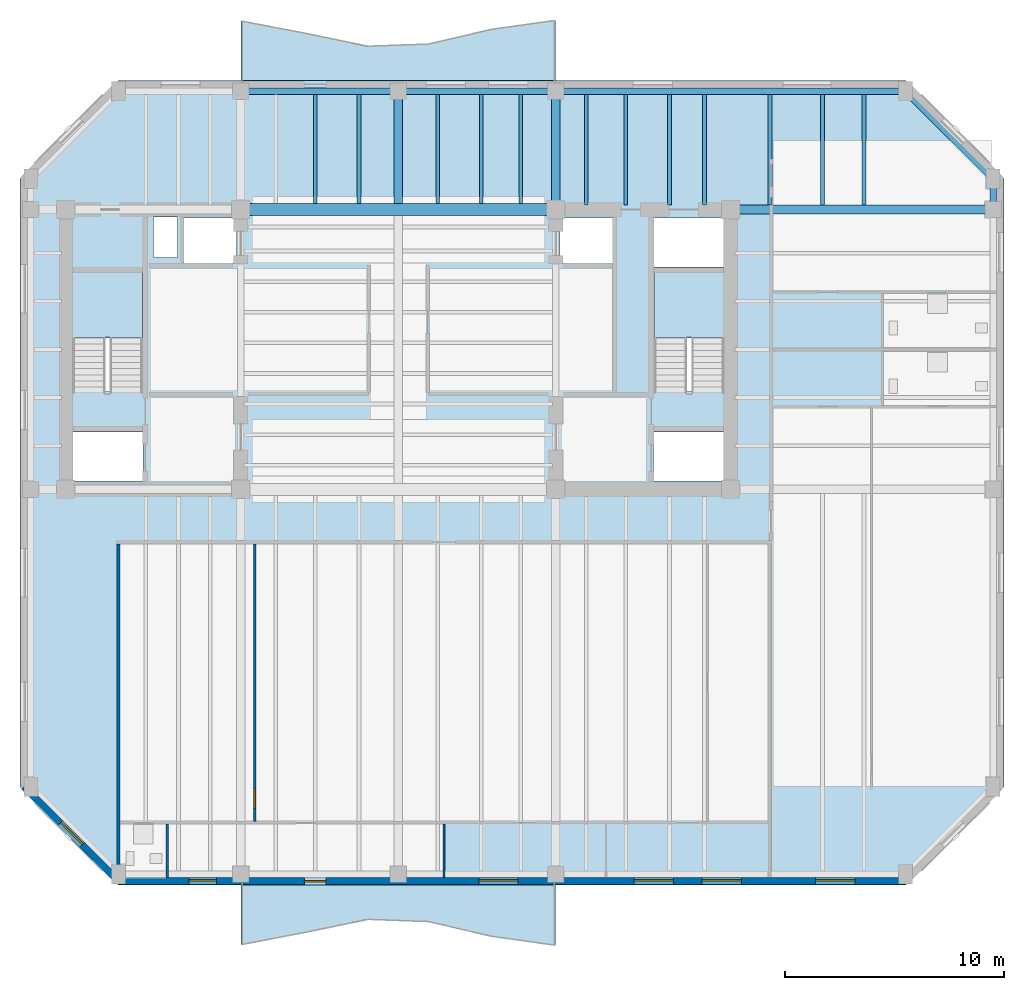
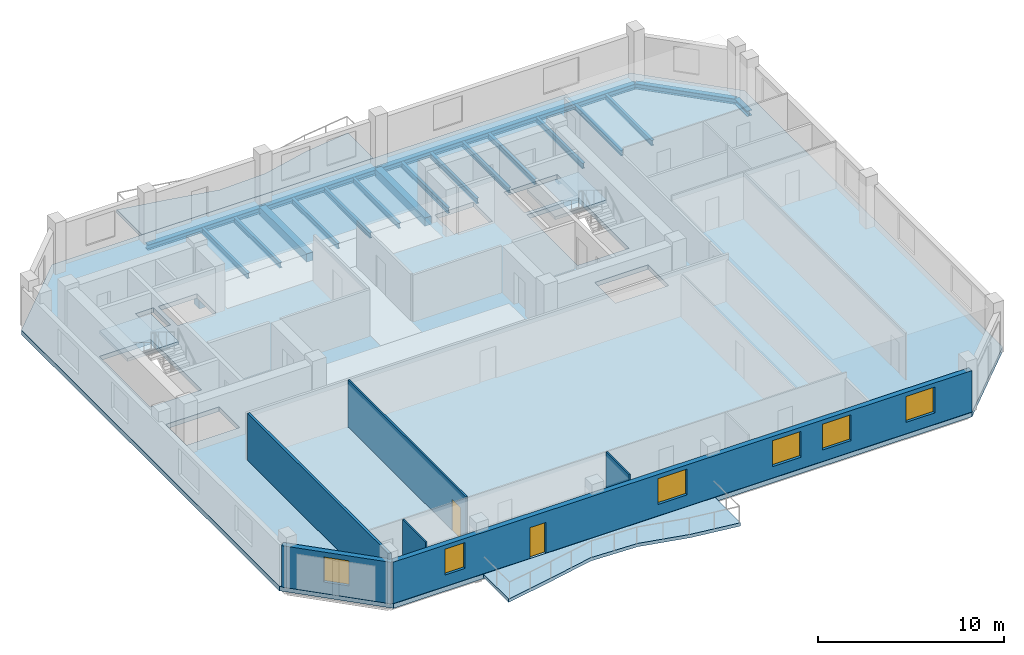
# One storey, part 2 of 9: 21 beams, 6 walls, 6 windows, 5 slabs, 2 doors, 8 openings, 2 elements without a shape of their own.
"""IFC4 building model written with IfcOpenShell, lengths in metres."""

from ifc_helpers import new_model, si_unit, direction, frame, frame_2d, origin, origin_2d, place, context, subcontext, project, spatial, polyline, rectangle, i_section, outline, extrude, material, layer, layer_set, material_profile, profile_set, type_object, element, fill, aggregate, save


model = new_model("IFC4")

# Units and contexts
model_context = context("Model", 3, precision=1e-05, world=origin(), true_north=direction((0.0, 1.0)))
body_context = subcontext(model_context, "Body", "Model", "MODEL_VIEW")
ifc_project = project(units=[si_unit("LENGTHUNIT", "METRE"), si_unit("AREAUNIT", "SQUARE_METRE"), si_unit("VOLUMEUNIT", "CUBIC_METRE"), si_unit("PLANEANGLEUNIT", "RADIAN"), si_unit("MASSUNIT", "GRAM", prefix="KILO")], contexts=[model_context])

# Site, building, storey
site_placement = place(None, origin())
site = spatial("IfcSite", under=ifc_project, at=site_placement, CompositionType="ELEMENT")
building_placement = place(site_placement, origin())
building = spatial("IfcBuilding", under=site, at=building_placement, Name="Kranthara Brick Stack", CompositionType="ELEMENT")
storey_placement = place(building_placement, frame((0.0, 0.0, 241.5)))
storey = spatial("IfcBuildingStorey", under=building, at=storey_placement, Name="L63", CompositionType="ELEMENT", Elevation=241.5)

# Beams
ifc_material_1 = material(Name="Concrete C50/60", Category="concrete")
ifc_material_profile_1 = material_profile(ifc_material_1, rectangle(XDim=0.550048828125, YDim=0.85009765625, at=origin_2d()), Name="RC 550x850")
ifc_profile_set_1 = profile_set([ifc_material_profile_1], Name="Concrete C50/60")
beam_type_1 = type_object("IfcBeamType", Name="BM-CPL-RC850", PredefinedType="LINTEL", material=ifc_profile_set_1)
beam_1_placement = place(storey_placement, frame((20.800048828125, 33.60009765625, -0.72509765625), z_axis=(1.0, 0.0, 0.0), x_axis=(0.0, 1.0, 0.0)))
element("IfcBeam", 1, at=beam_1_placement, inside=storey, type_object=beam_type_1, Name="L63 Core Coupling Beam 002", PredefinedType="LINTEL", context=body_context, shape_type="SweptSolid", body=[
    extrude(rectangle(XDim=0.550048828125, YDim=0.85009765625, at=origin_2d()), origin(), (0.0, 0.0, 1.0), 14.39990234375),
])
ifc_material_2 = material(Name="Post-tensioned concrete C45/55", Category="concrete")
ifc_material_profile_2 = material_profile(ifc_material_2, rectangle(XDim=0.39990234375, YDim=0.550048828125, at=origin_2d()), Name="PT 400x550")
ifc_profile_set_2 = profile_set([ifc_material_profile_2], Name="Post-tensioned concrete C45/55")
beam_type_2 = type_object("IfcBeamType", Name="BM-FLR-PT550", PredefinedType="BEAM", material=ifc_profile_set_2)
beam_2_placement = place(storey_placement, frame((28.0, 33.875, -0.574951171875), z_axis=(0.0, 1.0, 0.0), x_axis=(-1.0, 0.0, 0.0)))
element("IfcBeam", 2, at=beam_2_placement, inside=storey, type_object=beam_type_2, Name="L63 Primary Grid Girder 027", PredefinedType="BEAM", context=body_context, shape_type="SweptSolid", body=[
    extrude(rectangle(XDim=0.39990234375, YDim=0.550048828125, at=origin_2d()), origin(), (0.0, 0.0, 1.0), 5.125),
])
beam_3_placement = place(storey_placement, frame((35.199951171875, 33.60009765625, -0.574951171875), z_axis=(0.0, 1.0, 0.0), x_axis=(-1.0, 0.0, 0.0)))
element("IfcBeam", 3, at=beam_3_placement, inside=storey, type_object=beam_type_2, Name="L63 Primary Grid Girder 029", PredefinedType="BEAM", context=body_context, shape_type="SweptSolid", body=[
    extrude(rectangle(XDim=0.39990234375, YDim=0.550048828125, at=origin_2d()), origin(), (0.0, 0.0, 1.0), 5.39990234375),
])
beam_4_placement = place(storey_placement, frame((43.199951171875, 33.60009765625, -0.574951171875), z_axis=(1.0, 0.0, 0.0), x_axis=(0.0, 1.0, 0.0)))
element("IfcBeam", 4, at=beam_4_placement, inside=storey, type_object=beam_type_2, Name="L63 Primary Grid Girder 033", PredefinedType="BEAM", context=body_context, shape_type="SweptSolid", body=[
    extrude(rectangle(XDim=0.39990234375, YDim=0.550048828125, at=origin_2d()), origin(), (0.0, 0.0, 1.0), 12.0),
])
ifc_material_3 = material(Name="Steel S355", Category="steel")
ifc_material_profile_3 = material_profile(ifc_material_3, i_section(OverallWidth=0.169921875, OverallDepth=0.360107421875, WebThickness=0.008056640625, FlangeThickness=0.0126953125, at=origin_2d()), Name="IPE 360")
ifc_profile_set_3 = profile_set([ifc_material_profile_3], Name="Steel S355")
beam_type_3 = type_object("IfcBeamType", Name="BM-JST-IPE360", PredefinedType="JOIST", material=ifc_profile_set_3)
for number, where, z_axis, x_axis, name in (
    (5, (24.199951171875, 33.875, -0.47998046875), (0.0, 1.0, 0.0), (-1.0, 0.0, 0.0), "L63 North Wing Floor Joist 061"),
    (6, (26.199951171875, 33.875, -0.47998046875), (0.0, 1.0, 0.0), (-1.0, 0.0, 0.0), "L63 North Wing Floor Joist 063"),
    (7, (29.800048828125, 33.875, -0.47998046875), (0.0, 1.0, 0.0), (-1.0, 0.0, 0.0), "L63 North Wing Floor Joist 065"),
    (8, (31.800048828125, 33.875, -0.47998046875), (0.0, 1.0, 0.0), (-1.0, 0.0, 0.0), "L63 North Wing Floor Joist 067"),
    (9, (33.60009765625, 33.875, -0.47998046875), (0.0, 1.0, 0.0), (-1.0, 0.0, 0.0), "L63 North Wing Floor Joist 069"),
):
    element("IfcBeam", number, at=place(storey_placement, frame(where, z_axis=z_axis, x_axis=x_axis)), inside=storey, type_object=beam_type_3, Name=name, PredefinedType="JOIST", context=body_context, shape_type="SweptSolid", body=[
        extrude(i_section(OverallWidth=0.169921875, OverallDepth=0.360107421875, WebThickness=0.008056640625, FlangeThickness=0.0126953125, at=origin_2d()), origin(), (0.0, 0.0, 1.0), 4.97509765625),
    ])
for number, where, z_axis, x_axis, name in (
    (10, (36.60009765625, 33.800048828125, -0.47998046875), (0.0, 1.0, 0.0), (-1.0, 0.0, 0.0), "L63 North Wing Floor Joist 071"),
    (11, (38.39990234375, 33.800048828125, -0.47998046875), (0.0, 1.0, 0.0), (-1.0, 0.0, 0.0), "L63 North Wing Floor Joist 073"),
    (12, (40.39990234375, 33.800048828125, -0.47998046875), (0.0, 1.0, 0.0), (-1.0, 0.0, 0.0), "L63 North Wing Floor Joist 075"),
    (13, (42.0, 33.800048828125, -0.47998046875), (0.0, 1.0, 0.0), (-1.0, 0.0, 0.0), "L63 North Wing Floor Joist 077"),
    (14, (45.0, 33.800048828125, -0.47998046875), (0.0, 1.0, 0.0), (-1.0, 0.0, 0.0), "L63 North Wing Floor Joist 079"),
    (15, (47.39990234375, 33.800048828125, -0.47998046875), (0.0, 1.0, 0.0), (-1.0, 0.0, 0.0), "L63 North Wing Floor Joist 081"),
    (16, (49.300048828125, 33.800048828125, -0.47998046875), (0.0, 1.0, 0.0), (-1.0, 0.0, 0.0), "L63 North Wing Floor Joist 083"),
):
    element("IfcBeam", number, at=place(storey_placement, frame(where, z_axis=z_axis, x_axis=x_axis)), inside=storey, type_object=beam_type_3, Name=name, PredefinedType="JOIST", context=body_context, shape_type="SweptSolid", body=[
        extrude(i_section(OverallWidth=0.169921875, OverallDepth=0.360107421875, WebThickness=0.008056640625, FlangeThickness=0.0126953125, at=origin_2d()), origin(), (0.0, 0.0, 1.0), 5.050048828125),
    ])
ifc_material_4 = material(Name="Steel S355", Category="steel")
ifc_material_profile_4 = material_profile(ifc_material_4, i_section(OverallWidth=0.300048828125, OverallDepth=0.360107421875, WebThickness=0.012451171875, FlangeThickness=0.0224609375, at=origin_2d()), Name="HEB 360")
ifc_profile_set_4 = profile_set([ifc_material_profile_4], Name="Steel S355")
beam_type_4 = type_object("IfcBeamType", Name="BM-STL-HEB360", PredefinedType="SPANDREL", material=ifc_profile_set_4)
for number, where, z_axis, x_axis, name in (
    (17, (20.800048828125, 39.0, -0.47998046875), (1.0, 0.0, 0.0), (0.0, 1.0, 0.0), "L63 Perimeter Spandrel Beam 010"),
    (18, (28.0, 39.0, -0.47998046875), (1.0, 0.0, 0.0), (0.0, 1.0, 0.0), "L63 Perimeter Spandrel Beam 011"),
):
    element("IfcBeam", number, at=place(storey_placement, frame(where, z_axis=z_axis, x_axis=x_axis)), inside=storey, type_object=beam_type_4, Name=name, PredefinedType="SPANDREL", context=body_context, shape_type="SweptSolid", body=[
        extrude(i_section(OverallWidth=0.300048828125, OverallDepth=0.360107421875, WebThickness=0.012451171875, FlangeThickness=0.0224609375, at=origin_2d()), origin(), (0.0, 0.0, 1.0), 7.199951171875),
    ])
beam_5_placement = place(storey_placement, frame((35.199951171875, 39.0, -0.47998046875), z_axis=(1.0, 0.0, 0.0), x_axis=(0.0, 1.0, 0.0)))
element("IfcBeam", 19, at=beam_5_placement, inside=storey, type_object=beam_type_4, Name="L63 Perimeter Spandrel Beam 012", PredefinedType="SPANDREL", context=body_context, shape_type="SweptSolid", body=[
    extrude(i_section(OverallWidth=0.300048828125, OverallDepth=0.360107421875, WebThickness=0.012451171875, FlangeThickness=0.0224609375, at=origin_2d()), origin(), (0.0, 0.0, 1.0), 16.0),
])
beam_6_placement = place(storey_placement, frame((55.199951171875, 33.60009765625, -0.47998046875), z_axis=(0.0, 1.0, 0.0), x_axis=(-1.0, 0.0, 0.0)))
element("IfcBeam", 20, at=beam_6_placement, inside=storey, type_object=beam_type_4, Name="L63 Perimeter Spandrel Beam 018", PredefinedType="SPANDREL", context=body_context, shape_type="SweptSolid", body=[
    extrude(i_section(OverallWidth=0.300048828125, OverallDepth=0.360107421875, WebThickness=0.012451171875, FlangeThickness=0.0224609375, at=origin_2d()), origin(), (0.0, 0.0, 1.0), 1.39990234375),
])
beam_7_placement = place(storey_placement, frame((51.199951171875, 39.0, -0.47998046875), z_axis=(0.707106781187, -0.707106781187, 0.0), x_axis=(0.707106781187, 0.707106781187, 0.0)))
element("IfcBeam", 21, at=beam_7_placement, inside=storey, type_object=beam_type_4, Name="L63 Chamfer Corner Spandrel 022", PredefinedType="SPANDREL", context=body_context, shape_type="SweptSolid", body=[
    extrude(i_section(OverallWidth=0.300048828125, OverallDepth=0.360107421875, WebThickness=0.012451171875, FlangeThickness=0.0224609375, at=origin_2d()), origin(), (0.0, 0.0, 1.0), 5.65673828125),
])

# Slabs
ifc_material_5 = material(Name="Concrete C45/55", Category="concrete")
ifc_layer_1 = layer(ifc_material_5, 0.219970703125)
ifc_layer_set_1 = layer_set([ifc_layer_1], Name="Concrete C45/55")
slab_type_1 = type_object("IfcSlabType", Name="SLB-BALC-220", PredefinedType="FLOOR", material=ifc_layer_set_1)
slab_1_placement = place(storey_placement, frame((0.0, 0.0, -0.219970703125)))
element("IfcSlab", 22, at=slab_1_placement, inside=storey, type_object=slab_type_1, Name="L63 South Rippling Balcony Slab", PredefinedType="FLOOR", context=body_context, shape_type="SweptSolid", body=[
    extrude(outline(polyline([(20.800048828125, 2.699951171875), (35.199951171875, 2.699951171875), (35.199951171875, -0.0498046875), (32.320068359375, 0.3525390625), (29.43994140625, 1.034912109375), (26.56005859375, 1.138671875), (23.679931640625, 0.53369140625), (20.800048828125, -0.01953125), (20.800048828125, 2.699951171875)])), origin(), (0.0, 0.0, 1.0), 0.219970703125),
])
slab_2_placement = place(storey_placement, frame((0.0, 0.0, -0.219970703125)))
element("IfcSlab", 23, at=slab_2_placement, inside=storey, type_object=slab_type_1, Name="L63 North Rippling Balcony Slab", PredefinedType="FLOOR", context=body_context, shape_type="SweptSolid", body=[
    extrude(outline(polyline([(35.199951171875, 39.5), (20.800048828125, 39.5), (20.800048828125, 42.219482421875), (23.679931640625, 41.666259765625), (26.56005859375, 41.061279296875), (29.43994140625, 41.165283203125), (32.320068359375, 41.847412109375), (35.199951171875, 42.25), (35.199951171875, 39.5)])), origin(), (0.0, 0.0, 1.0), 0.219970703125),
])

# Stair, slab
ifc_material_6 = material(Name="Concrete C45/55", Category="concrete")
stair_type = type_object("IfcStairType", Name="ST-CORE-20R", PredefinedType="HALF_TURN_STAIR", material=ifc_material_6)
stair_1_placement = place(storey_placement, origin())
stair_1 = element("IfcStair", 24, at=stair_1_placement, inside=storey, type_object=stair_type, Name="L63 West Core Protected Exit Stair ST01", PredefinedType="HALF_TURN_STAIR")
ifc_material_7 = material(Name="Concrete C45/55", Category="concrete")
ifc_layer_2 = layer(ifc_material_7, 0.199951171875)
ifc_layer_set_2 = layer_set([ifc_layer_2], Name="Concrete C45/55")
slab_type_2 = type_object("IfcSlabType", Name="SLB-LANDING-200", PredefinedType="LANDING", material=ifc_layer_set_2)
slab_3_placement = place(storey_placement, frame((0.0, 0.0, 1.5)))
slab_3 = element("IfcSlab", 25, at=slab_3_placement, type_object=slab_type_2, Name="ST01 landing 1", PredefinedType="LANDING", context=body_context, shape_type="SweptSolid", body=[
    extrude(outline(polyline([(16.300048828125, 27.719970703125), (16.300048828125, 30.75), (13.10009765625, 30.75), (13.10009765625, 27.719970703125), (16.300048828125, 27.719970703125)])), origin(), (0.0, 0.0, 1.0), 0.199951171875),
])
aggregate(stair_1, [slab_3])

stair_2_placement = place(storey_placement, origin())
stair_2 = element("IfcStair", 26, at=stair_2_placement, inside=storey, type_object=stair_type, Name="L63 East Core Protected Exit Stair ST02", PredefinedType="HALF_TURN_STAIR")
slab_4_placement = place(storey_placement, frame((0.0, 0.0, 1.5)))
slab_4 = element("IfcSlab", 27, at=slab_4_placement, type_object=slab_type_2, Name="ST02 landing 1", PredefinedType="LANDING", context=body_context, shape_type="SweptSolid", body=[
    extrude(outline(polyline([(42.89990234375, 27.719970703125), (42.89990234375, 30.75), (39.699951171875, 30.75), (39.699951171875, 27.719970703125), (42.89990234375, 27.719970703125)])), origin(), (0.0, 0.0, 1.0), 0.199951171875),
])
aggregate(stair_2, [slab_4])

# Slab
ifc_material_8 = material(Name="Post-tensioned concrete C45/55", Category="concrete")
ifc_layer_3 = layer(ifc_material_8, 0.300048828125)
ifc_layer_set_3 = layer_set([ifc_layer_3], Name="Post-tensioned concrete C45/55")
slab_type_3 = type_object("IfcSlabType", Name="SLB-TWR-300", PredefinedType="FLOOR", material=ifc_layer_set_3)
slab_5_placement = place(storey_placement, frame((0.0, 0.0, -0.300048828125)))
element("IfcSlab", 28, at=slab_5_placement, inside=storey, type_object=slab_type_3, Name="L63 Structural Floor Plate", PredefinedType="FLOOR", context=body_context, shape_type="SweptSolid", body=[
    extrude(outline(polyline([(15.199951171875, 2.699951171875), (51.199951171875, 2.699951171875), (55.699951171875, 7.199951171875), (55.699951171875, 35.0), (51.199951171875, 39.5), (15.199951171875, 39.5), (10.699951171875, 35.0), (10.699951171875, 7.199951171875), (15.199951171875, 2.699951171875)]), holes=[polyline([(13.10009765625, 25.280029296875), (16.300048828125, 25.280029296875), (16.300048828125, 30.75), (13.10009765625, 30.75), (13.10009765625, 25.280029296875)]), polyline([(39.699951171875, 25.280029296875), (42.89990234375, 25.280029296875), (42.89990234375, 30.75), (39.699951171875, 30.75), (39.699951171875, 25.280029296875)]), polyline([(13.0, 21.179931640625), (16.320068359375, 21.179931640625), (16.320068359375, 23.419921875), (13.0, 23.419921875), (13.0, 21.179931640625)]), polyline([(39.679931640625, 21.179931640625), (43.0, 21.179931640625), (43.0, 23.419921875), (39.679931640625, 23.419921875), (39.679931640625, 21.179931640625)]), polyline([(39.679931640625, 30.97998046875), (43.0, 30.97998046875), (43.0, 33.219970703125), (39.679931640625, 33.219970703125), (39.679931640625, 30.97998046875)]), polyline([(18.199951171875, 31.14990234375), (20.60009765625, 31.14990234375), (20.60009765625, 33.219970703125), (18.199951171875, 33.219970703125), (18.199951171875, 31.14990234375)]), polyline([(35.39990234375, 31.14990234375), (37.800048828125, 31.14990234375), (37.800048828125, 33.219970703125), (35.39990234375, 33.219970703125), (35.39990234375, 31.14990234375)]), polyline([(16.800048828125, 31.39990234375), (17.89990234375, 31.39990234375), (17.89990234375, 33.25), (16.800048828125, 33.25), (16.800048828125, 31.39990234375)])]), origin(), (0.0, 0.0, 1.0), 0.300048828125),
])

# Wall, openings, door, windows
ifc_material_9 = material(Name="Warm buff clay brick masonry M15", Category="masonry")
ifc_layer_4 = layer(ifc_material_9, 0.320068359375)
ifc_layer_set_4 = layer_set([ifc_layer_4], Name="Warm buff clay brick masonry M15")
wall_type_1 = type_object("IfcWallType", Name="WL-BRK-UPPR-320", PredefinedType="STANDARD", material=ifc_layer_set_4)
wall_1_placement = place(storey_placement, frame((51.199951171875, 2.8798828125, 0.0), z_axis=(0.0, 0.0, 1.0), x_axis=(-1.0, 0.0, 0.0)))
wall_1 = element("IfcWall", 29, at=wall_1_placement, inside=storey, type_object=wall_type_1, Name="L63 Exterior Brick Facade Wall SOUTH 1", PredefinedType="STANDARD", context=body_context, shape_type="SweptSolid", body=[
    extrude(rectangle(XDim=36.0, YDim=0.320068359375, at=frame_2d((18.0, 0.0))), origin(), (0.0, 0.0, 1.0), 2.72509765625),
])
opening_1_placement = place(wall_1_placement, frame((26.5, 0.0, 0.0)))
opening_1 = element("IfcOpeningElement", 30, at=opening_1_placement, cuts=wall_1, Name="Opening D03", PredefinedType="OPENING", context=body_context, shape_type="SweptSolid", body=[
    extrude(rectangle(XDim=1.0, YDim=2.02001953125, at=frame_2d((0.5, 1.010009765625))), frame((0.0, 0.169921875, 0.0), z_axis=(0.0, -1.0, 0.0), x_axis=(1.0, 0.0, 0.0)), (0.0, 0.0, 1.0), 0.340087890625),
])
opening_2_placement = place(wall_1_placement, frame((2.31005859375, 0.0, 0.75)))
opening_2 = element("IfcOpeningElement", 31, at=opening_2_placement, cuts=wall_1, Name="Opening WN07", PredefinedType="OPENING", context=body_context, shape_type="SweptSolid", body=[
    extrude(rectangle(XDim=1.800048828125, YDim=1.699951171875, at=frame_2d((0.89990234375, 0.85009765625))), frame((0.0, 0.169921875, 0.0), z_axis=(0.0, -1.0, 0.0), x_axis=(1.0, 0.0, 0.0)), (0.0, 0.0, 1.0), 0.340087890625),
])
opening_3_placement = place(wall_1_placement, frame((7.506103515625, 0.0, 0.75)))
opening_3 = element("IfcOpeningElement", 32, at=opening_3_placement, cuts=wall_1, Name="Opening WN07", PredefinedType="OPENING", context=body_context, shape_type="SweptSolid", body=[
    extrude(rectangle(XDim=1.800048828125, YDim=1.699951171875, at=frame_2d((0.89990234375, 0.85009765625))), frame((0.0, 0.169921875, 0.0), z_axis=(0.0, -1.0, 0.0), x_axis=(1.0, 0.0, 0.0)), (0.0, 0.0, 1.0), 0.340087890625),
])
opening_4_placement = place(wall_1_placement, frame((10.618896484375, 0.0, 0.75)))
opening_4 = element("IfcOpeningElement", 33, at=opening_4_placement, cuts=wall_1, Name="Opening WN07", PredefinedType="OPENING", context=body_context, shape_type="SweptSolid", body=[
    extrude(rectangle(XDim=1.800048828125, YDim=1.699951171875, at=frame_2d((0.89990234375, 0.85009765625))), frame((0.0, 0.169921875, 0.0), z_axis=(0.0, -1.0, 0.0), x_axis=(1.0, 0.0, 0.0)), (0.0, 0.0, 1.0), 0.340087890625),
])
opening_5_placement = place(wall_1_placement, frame((17.718017578125, 0.0, 0.75)))
opening_5 = element("IfcOpeningElement", 34, at=opening_5_placement, cuts=wall_1, Name="Opening WN07", PredefinedType="OPENING", context=body_context, shape_type="SweptSolid", body=[
    extrude(rectangle(XDim=1.800048828125, YDim=1.699951171875, at=frame_2d((0.89990234375, 0.85009765625))), frame((0.0, 0.169921875, 0.0), z_axis=(0.0, -1.0, 0.0), x_axis=(1.0, 0.0, 0.0)), (0.0, 0.0, 1.0), 0.340087890625),
])
opening_6_placement = place(wall_1_placement, frame((31.52294921875, 0.0, 0.75)))
opening_6 = element("IfcOpeningElement", 35, at=opening_6_placement, cuts=wall_1, Name="Opening WN09", PredefinedType="OPENING", context=body_context, shape_type="SweptSolid", body=[
    extrude(rectangle(XDim=1.25, YDim=1.699951171875, at=frame_2d((0.625, 0.85009765625))), frame((0.0, 0.169921875, 0.0), z_axis=(0.0, -1.0, 0.0), x_axis=(1.0, 0.0, 0.0)), (0.0, 0.0, 1.0), 0.340087890625),
])
ifc_material_10 = material(Name="Bronze anodised aluminium and laminated glass", Category="aluminium")
door_type_1 = type_object("IfcDoorType", Name="DR-BALC-1000", OperationType="NOTDEFINED", PredefinedType="DOOR", material=ifc_material_10)
door_1_placement = place(opening_1_placement, origin())
door_1 = element("IfcDoor", 36, at=door_1_placement, inside=storey, type_object=door_type_1, Name="L63 South Balcony Terrace Door", OperationType="SINGLE_SWING_LEFT", OverallHeight=2.02001953125, OverallWidth=1.0, PredefinedType="DOOR", context=body_context, shape_type="SweptSolid", body=[
    extrude(rectangle(XDim=1.0, YDim=2.02001953125, at=frame_2d((0.5, 1.010009765625))), frame((0.0, 0.02490234375, 0.0), z_axis=(0.0, -1.0, 0.0), x_axis=(1.0, 0.0, 0.0)), (0.0, 0.0, 1.0), 0.050048828125),
])
fill(opening_1, door_1)
ifc_material_11 = material(Name="Double-glazed low-E solar control glass", Category="glass")
window_type_1 = type_object("IfcWindowType", Name="WN-RES-1250x1850", PartitioningType="SINGLE_PANEL", PredefinedType="WINDOW", material=ifc_material_11)
window_1_placement = place(opening_6_placement, origin())
window_1 = element("IfcWindow", 37, at=window_1_placement, inside=storey, type_object=window_type_1, Name="L63 South Deep-Set Brick Window 05", OverallHeight=1.699951171875, OverallWidth=1.25, PartitioningType="SINGLE_PANEL", PredefinedType="WINDOW", context=body_context, shape_type="SweptSolid", body=[
    extrude(rectangle(XDim=1.25, YDim=1.699951171875, at=frame_2d((0.625, 0.85009765625))), frame((0.0, -0.010009765625, 0.0), z_axis=(0.0, -1.0, 0.0), x_axis=(1.0, 0.0, 0.0)), (0.0, 0.0, 1.0), 0.06005859375),
])
fill(opening_6, window_1)
ifc_material_12 = material(Name="Double-glazed low-E solar control glass", Category="glass")
window_type_2 = type_object("IfcWindowType", Name="WN-RES-1800x1850", PartitioningType="DOUBLE_PANEL_VERTICAL", PredefinedType="WINDOW", material=ifc_material_12)
window_2_placement = place(opening_2_placement, origin())
window_2 = element("IfcWindow", 38, at=window_2_placement, inside=storey, type_object=window_type_2, Name="L63 South Deep-Set Brick Window 01", OverallHeight=1.699951171875, OverallWidth=1.800048828125, PartitioningType="SINGLE_PANEL", PredefinedType="WINDOW", context=body_context, shape_type="SweptSolid", body=[
    extrude(rectangle(XDim=1.800048828125, YDim=1.699951171875, at=frame_2d((0.89990234375, 0.85009765625))), frame((0.0, -0.010009765625, 0.0), z_axis=(0.0, -1.0, 0.0), x_axis=(1.0, 0.0, 0.0)), (0.0, 0.0, 1.0), 0.06005859375),
])
fill(opening_2, window_2)
window_3_placement = place(opening_3_placement, origin())
window_3 = element("IfcWindow", 39, at=window_3_placement, inside=storey, type_object=window_type_2, Name="L63 South Deep-Set Brick Window 02", OverallHeight=1.699951171875, OverallWidth=1.800048828125, PartitioningType="SINGLE_PANEL", PredefinedType="WINDOW", context=body_context, shape_type="SweptSolid", body=[
    extrude(rectangle(XDim=1.800048828125, YDim=1.699951171875, at=frame_2d((0.89990234375, 0.85009765625))), frame((0.0, -0.010009765625, 0.0), z_axis=(0.0, -1.0, 0.0), x_axis=(1.0, 0.0, 0.0)), (0.0, 0.0, 1.0), 0.06005859375),
])
fill(opening_3, window_3)
window_4_placement = place(opening_4_placement, origin())
window_4 = element("IfcWindow", 40, at=window_4_placement, inside=storey, type_object=window_type_2, Name="L63 South Deep-Set Brick Window 03", OverallHeight=1.699951171875, OverallWidth=1.800048828125, PartitioningType="SINGLE_PANEL", PredefinedType="WINDOW", context=body_context, shape_type="SweptSolid", body=[
    extrude(rectangle(XDim=1.800048828125, YDim=1.699951171875, at=frame_2d((0.89990234375, 0.85009765625))), frame((0.0, -0.010009765625, 0.0), z_axis=(0.0, -1.0, 0.0), x_axis=(1.0, 0.0, 0.0)), (0.0, 0.0, 1.0), 0.06005859375),
])
fill(opening_4, window_4)
window_5_placement = place(opening_5_placement, origin())
window_5 = element("IfcWindow", 41, at=window_5_placement, inside=storey, type_object=window_type_2, Name="L63 South Deep-Set Brick Window 04", OverallHeight=1.699951171875, OverallWidth=1.800048828125, PartitioningType="SINGLE_PANEL", PredefinedType="WINDOW", context=body_context, shape_type="SweptSolid", body=[
    extrude(rectangle(XDim=1.800048828125, YDim=1.699951171875, at=frame_2d((0.89990234375, 0.85009765625))), frame((0.0, -0.010009765625, 0.0), z_axis=(0.0, -1.0, 0.0), x_axis=(1.0, 0.0, 0.0)), (0.0, 0.0, 1.0), 0.06005859375),
])
fill(opening_5, window_5)

# Wall, opening, window
wall_2_placement = place(storey_placement, frame((15.199951171875, 2.8798828125, 0.0), z_axis=(0.0, 0.0, 1.0), x_axis=(-0.707106781187, 0.707106781187, 0.0)))
wall_2 = element("IfcWall", 42, at=wall_2_placement, inside=storey, type_object=wall_type_1, Name="L63 Exterior Brick Facade Wall SW 1", PredefinedType="STANDARD", context=body_context, shape_type="SweptSolid", body=[
    extrude(rectangle(XDim=6.109619140625, YDim=0.320068359375, at=frame_2d((3.0546875, 0.0))), origin(), (0.0, 0.0, 1.0), 2.72509765625),
])
opening_7_placement = place(wall_2_placement, frame((2.35498046875, 0.0, 0.75)))
opening_7 = element("IfcOpeningElement", 43, at=opening_7_placement, cuts=wall_2, Name="Opening WN10", PredefinedType="OPENING", context=body_context, shape_type="SweptSolid", body=[
    extrude(rectangle(XDim=1.39990234375, YDim=1.64990234375, at=frame_2d((0.699951171875, 0.824951171875))), frame((0.0, 0.169921875, 0.0), z_axis=(0.0, -1.0, 0.0), x_axis=(1.0, 0.0, 0.0)), (0.0, 0.0, 1.0), 0.340087890625),
])
ifc_material_13 = material(Name="Double-glazed low-E solar control glass", Category="glass")
window_type_3 = type_object("IfcWindowType", Name="WN-CHM-1400x1750", PartitioningType="SINGLE_PANEL", PredefinedType="WINDOW", material=ifc_material_13)
window_6_placement = place(opening_7_placement, origin())
window_6 = element("IfcWindow", 44, at=window_6_placement, inside=storey, type_object=window_type_3, Name="L63 SW Chamfer Corner Window", OverallHeight=1.64990234375, OverallWidth=1.39990234375, PartitioningType="SINGLE_PANEL", PredefinedType="WINDOW", context=body_context, shape_type="SweptSolid", body=[
    extrude(rectangle(XDim=1.39990234375, YDim=1.64990234375, at=frame_2d((0.699951171875, 0.824951171875))), frame((0.0, -0.010009765625, 0.0), z_axis=(0.0, -1.0, 0.0), x_axis=(1.0, 0.0, 0.0)), (0.0, 0.0, 1.0), 0.06005859375),
])
fill(opening_7, window_6)

# Wall, opening, door
ifc_material_14 = material(Name="Moisture-resistant wet-room partition", Category="other")
ifc_layer_5 = layer(ifc_material_14, 0.10009765625)
ifc_layer_set_5 = layer_set([ifc_layer_5], Name="Moisture-resistant wet-room partition")
wall_type_2 = type_object("IfcWallType", Name="WL-PART-100", PredefinedType="PARTITIONING", material=ifc_layer_set_5)
wall_3_placement = place(storey_placement, frame((21.43603515625, 5.60498046875, 0.0), z_axis=(0.0, 0.0, 1.0), x_axis=(0.0, 1.0, 0.0)))
wall_3 = element("IfcWall", 45, at=wall_3_placement, inside=storey, type_object=wall_type_2, Name="L63 Interior Partition 009", PredefinedType="PARTITIONING", context=body_context, shape_type="SweptSolid", body=[
    extrude(rectangle(XDim=12.695068359375, YDim=0.10009765625, at=frame_2d((6.34765625, 0.0))), origin(), (0.0, 0.0, 1.0), 3.10009765625),
])
opening_8_placement = place(wall_3_placement, frame((0.60498046875, 0.0, 0.0)))
opening_8 = element("IfcOpeningElement", 46, at=opening_8_placement, cuts=wall_3, Name="Opening D15", PredefinedType="OPENING", context=body_context, shape_type="SweptSolid", body=[
    extrude(rectangle(XDim=0.89990234375, YDim=2.050048828125, at=frame_2d((0.449951171875, 1.02490234375))), frame((0.0, 0.06005859375, 0.0), z_axis=(0.0, -1.0, 0.0), x_axis=(1.0, 0.0, 0.0)), (0.0, 0.0, 1.0), 0.1201171875),
])
ifc_material_15 = material(Name="Solid-core hardwood timber leaf in steel frame", Category="steel")
door_type_2 = type_object("IfcDoorType", Name="DR-INT-900", OperationType="NOTDEFINED", PredefinedType="DOOR", material=ifc_material_15)
door_2_placement = place(opening_8_placement, origin())
door_2 = element("IfcDoor", 47, at=door_2_placement, inside=storey, type_object=door_type_2, Name="L63 Unit L63A Study 05", OperationType="SINGLE_SWING_LEFT", OverallHeight=2.050048828125, OverallWidth=0.89990234375, PredefinedType="DOOR", context=body_context, shape_type="SweptSolid", body=[
    extrude(rectangle(XDim=0.89990234375, YDim=2.050048828125, at=frame_2d((0.449951171875, 1.02490234375))), frame((0.0, 0.02490234375, 0.0), z_axis=(0.0, -1.0, 0.0), x_axis=(1.0, 0.0, 0.0)), (0.0, 0.0, 1.0), 0.050048828125),
])
fill(opening_8, door_2)

# Walls
for number, where, z_axis, x_axis, name in (
    (48, (17.429931640625, 3.044921875, 0.0), (0.0, 0.0, 1.0), (0.0, 1.0, 0.0), "L63 Interior Partition 010"),
    (49, (30.090087890625, 3.044921875, 0.0), (0.0, 0.0, 1.0), (0.0, 1.0, 0.0), "L63 Interior Partition 011"),
):
    element("IfcWall", number, at=place(storey_placement, frame(where, z_axis=z_axis, x_axis=x_axis)), inside=storey, type_object=wall_type_2, Name=name, PredefinedType="PARTITIONING", context=body_context, shape_type="SweptSolid", body=[
        extrude(rectangle(XDim=2.4501953125, YDim=0.10009765625, at=frame_2d((1.22509765625, 0.0))), origin(), (0.0, 0.0, 1.0), 3.10009765625),
    ])
ifc_material_16 = material(Name="Fire-rated gypsum board partition", Category="other")
ifc_layer_6 = layer(ifc_material_16, 0.14990234375)
ifc_layer_set_6 = layer_set([ifc_layer_6], Name="Fire-rated gypsum board partition")
wall_type_3 = type_object("IfcWallType", Name="WL-PART-150", PredefinedType="PARTITIONING", material=ifc_layer_set_6)
wall_4_placement = place(storey_placement, frame((15.199951171875, 3.044921875, 0.0), z_axis=(0.0, 0.0, 1.0), x_axis=(0.0, 1.0, 0.0)))
element("IfcWall", 50, at=wall_4_placement, inside=storey, type_object=wall_type_3, Name="L63 Interior Partition 006", PredefinedType="PARTITIONING", context=body_context, shape_type="SweptSolid", body=[
    extrude(rectangle(XDim=15.255126953125, YDim=0.14990234375, at=frame_2d((7.62744140625, 0.0))), origin(), (0.0, 0.0, 1.0), 3.10009765625),
])

save(model, "model.ifc")
